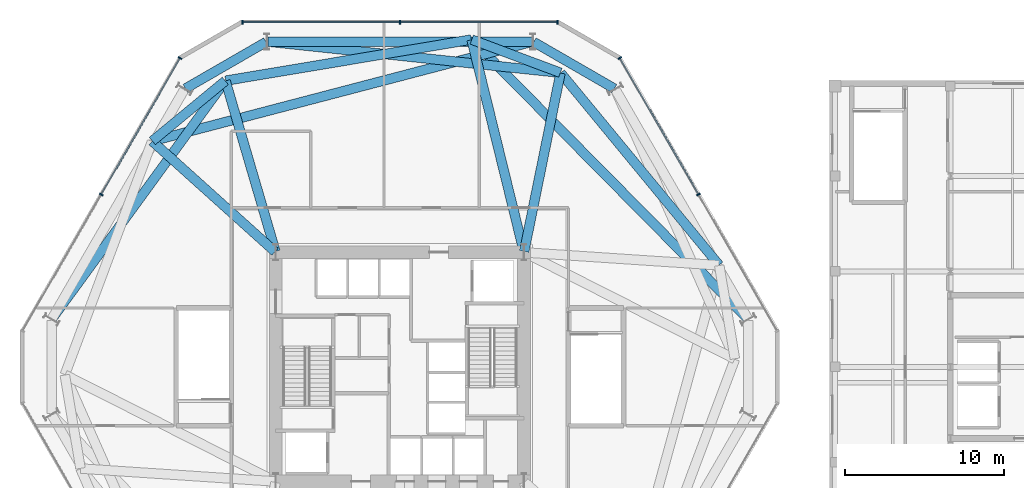
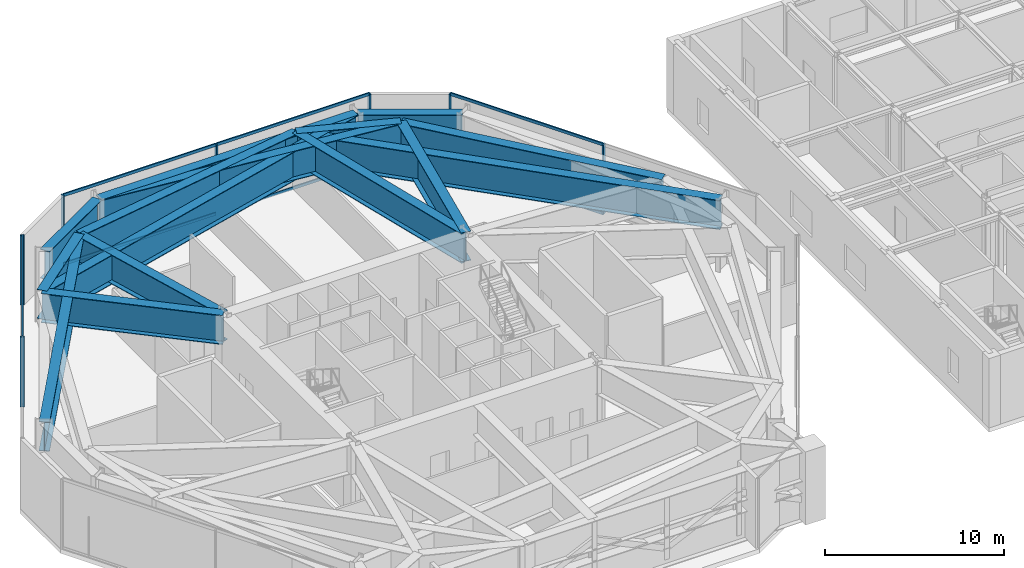
# One storey, part 9 of 16: 15 beams, 15 members, 3 elements without a shape of their own.
"""IFC4 building model written with IfcOpenShell, lengths in metres."""

from ifc_helpers import new_model, si_unit, direction, frame, origin, origin_2d, place, context, subcontext, project, spatial, rectangle, i_section, extrude, material, layer, layer_set, material_profile, profile_set, type_object, element, aggregate, save


model = new_model("IFC4")

# Units and contexts
model_context = context("Model", 3, precision=1e-05, world=origin(), true_north=direction((0.0, 1.0)))
body_context = subcontext(model_context, "Body", "Model", "MODEL_VIEW")
ifc_project = project(units=[si_unit("LENGTHUNIT", "METRE"), si_unit("AREAUNIT", "SQUARE_METRE"), si_unit("VOLUMEUNIT", "CUBIC_METRE"), si_unit("PLANEANGLEUNIT", "RADIAN"), si_unit("MASSUNIT", "GRAM", prefix="KILO")], contexts=[model_context])

# Site, building, storey
site_placement = place(None, origin())
site = spatial("IfcSite", under=ifc_project, at=site_placement, CompositionType="ELEMENT")
building_placement = place(site_placement, origin())
building = spatial("IfcBuilding", under=site, at=building_placement, Name="Kranzbogen Civic Tower", CompositionType="ELEMENT")
storey_placement = place(building_placement, frame((0.0, 0.0, 19.0)))
storey = spatial("IfcBuildingStorey", under=building, at=storey_placement, Name="L04", CompositionType="ELEMENT", Elevation=19.0)

# Curtain wall, members
ifc_material_1 = material(Name="Pale Anodised Aluminium", Category="aluminium")
ifc_layer = layer(ifc_material_1, 0.219970703125, Name="Pale Anodised Aluminium")
ifc_layer_set = layer_set([ifc_layer], Name="Pale Anodised Aluminium")
curtain_wall_type = type_object("IfcCurtainWallType", Name="Podium Stick Curtain Wall System CW-01", PredefinedType="USERDEFINED", material=ifc_layer_set)
curtain_wall_1_placement = place(storey_placement, origin())
curtain_wall_1 = element("IfcCurtainWall", 1, at=curtain_wall_1_placement, inside=storey, type_object=curtain_wall_type, Name="L04 curtain wall CW-L04-F1", ObjectType="STICK CURTAIN WALL", PredefinedType="USERDEFINED")
ifc_material_profile_1 = material_profile(ifc_material_1, rectangle(XDim=0.0849609375, YDim=0.260009765625, at=origin_2d()), Name="ALU-M 85x260")
ifc_profile_set_1 = profile_set([ifc_material_profile_1], Name="Pale Anodised Aluminium")
member_type_1 = type_object("IfcMemberType", Name="Curtain Wall Mullion ALU-M 85x260", PredefinedType="MULLION", material=ifc_profile_set_1)
member_1_placement = place(storey_placement, frame((43.76904296875, 35.83642578125, 0.0), z_axis=(0.0, 0.0, 1.0), x_axis=(-0.500005767433, 0.86602207393, 0.0)))
member_1 = element("IfcMember", 2, at=member_1_placement, type_object=member_type_1, Name="CW-01 mullion 2", PredefinedType="MULLION", context=body_context, shape_type="SweptSolid", body=[
    extrude(rectangle(XDim=0.0849609375, YDim=0.260009765625, at=origin_2d()), origin(), (0.0, 0.0, 1.0), 4.760009765625),
])
member_2_placement = place(storey_placement, frame((38.819091796875, 44.409912109375, 0.0), z_axis=(0.0, 0.0, 1.0), x_axis=(-0.500005767433, 0.86602207393, 0.0)))
member_2 = element("IfcMember", 3, at=member_2_placement, type_object=member_type_1, Name="CW-01 mullion 3", PredefinedType="MULLION", context=body_context, shape_type="SweptSolid", body=[
    extrude(rectangle(XDim=0.0849609375, YDim=0.260009765625, at=origin_2d()), origin(), (0.0, 0.0, 1.0), 4.760009765625),
])

curtain_wall_2_placement = place(storey_placement, origin())
curtain_wall_2 = element("IfcCurtainWall", 4, at=curtain_wall_2_placement, inside=storey, type_object=curtain_wall_type, Name="L04 curtain wall CW-L04-F2", ObjectType="STICK CURTAIN WALL", PredefinedType="USERDEFINED")
member_3_placement = place(storey_placement, frame((34.89990234375, 46.673095703125, 0.0), z_axis=(0.0, 0.0, 1.0), x_axis=(-1.0, 0.0, 0.0)))
member_3 = element("IfcMember", 5, at=member_3_placement, type_object=member_type_1, Name="CW-01 mullion 1", PredefinedType="MULLION", context=body_context, shape_type="SweptSolid", body=[
    extrude(rectangle(XDim=0.0849609375, YDim=0.260009765625, at=origin_2d()), origin(), (0.0, 0.0, 1.0), 4.760009765625),
])
member_4_placement = place(storey_placement, frame((25.0, 46.673095703125, 0.0), z_axis=(0.0, 0.0, 1.0), x_axis=(-1.0, 0.0, 0.0)))
member_4 = element("IfcMember", 6, at=member_4_placement, type_object=member_type_1, Name="CW-01 mullion 2", PredefinedType="MULLION", context=body_context, shape_type="SweptSolid", body=[
    extrude(rectangle(XDim=0.0849609375, YDim=0.260009765625, at=origin_2d()), origin(), (0.0, 0.0, 1.0), 4.760009765625),
])
member_5_placement = place(storey_placement, frame((15.10009765625, 46.673095703125, 0.0), z_axis=(0.0, 0.0, 1.0), x_axis=(-1.0, 0.0, 0.0)))
member_5 = element("IfcMember", 7, at=member_5_placement, type_object=member_type_1, Name="CW-01 mullion 3", PredefinedType="MULLION", context=body_context, shape_type="SweptSolid", body=[
    extrude(rectangle(XDim=0.0849609375, YDim=0.260009765625, at=origin_2d()), origin(), (0.0, 0.0, 1.0), 4.760009765625),
])

curtain_wall_3_placement = place(storey_placement, origin())
curtain_wall_3 = element("IfcCurtainWall", 8, at=curtain_wall_3_placement, inside=storey, type_object=curtain_wall_type, Name="L04 curtain wall CW-L04-F3", ObjectType="STICK CURTAIN WALL", PredefinedType="USERDEFINED")
member_6_placement = place(storey_placement, frame((11.180908203125, 44.409912109375, 0.0), z_axis=(0.0, 0.0, 1.0), x_axis=(-0.500005767433, -0.86602207393, 0.0)))
member_6 = element("IfcMember", 9, at=member_6_placement, type_object=member_type_1, Name="CW-01 mullion 1", PredefinedType="MULLION", context=body_context, shape_type="SweptSolid", body=[
    extrude(rectangle(XDim=0.0849609375, YDim=0.260009765625, at=origin_2d()), origin(), (0.0, 0.0, 1.0), 4.760009765625),
])
member_7_placement = place(storey_placement, frame((6.23095703125, 35.83642578125, 0.0), z_axis=(0.0, 0.0, 1.0), x_axis=(-0.500005767433, -0.86602207393, 0.0)))
member_7 = element("IfcMember", 10, at=member_7_placement, type_object=member_type_1, Name="CW-01 mullion 2", PredefinedType="MULLION", context=body_context, shape_type="SweptSolid", body=[
    extrude(rectangle(XDim=0.0849609375, YDim=0.260009765625, at=origin_2d()), origin(), (0.0, 0.0, 1.0), 4.760009765625),
])

# Member
ifc_material_profile_2 = material_profile(ifc_material_1, rectangle(XDim=0.0849609375, YDim=0.195068359375, at=origin_2d()), Name="ALU-T 85x195")
ifc_profile_set_2 = profile_set([ifc_material_profile_2], Name="Pale Anodised Aluminium")
member_type_2 = type_object("IfcMemberType", Name="Curtain Wall Transom ALU-T 85x195", PredefinedType="USERDEFINED", material=ifc_profile_set_2)
member_8_placement = place(storey_placement, frame((43.75390625, 35.862548828125, 0.030029296875), z_axis=(-0.500003092839, 0.866023618125, 0.0), x_axis=(-0.866023618125, -0.500003092839, 0.0)))
member_8 = element("IfcMember", 11, at=member_8_placement, type_object=member_type_2, Name="CW-01 transom 2.1", ObjectType="TRANSOM", PredefinedType="USERDEFINED", context=body_context, shape_type="SweptSolid", body=[
    extrude(rectangle(XDim=0.0849609375, YDim=0.195068359375, at=origin_2d()), origin(), (0.0, 0.0, 1.0), 9.83984375),
])

member_9_placement = place(storey_placement, frame((43.75390625, 35.862548828125, 4.72998046875), z_axis=(-0.500003092839, 0.866023618125, 0.0), x_axis=(-0.866023618125, -0.500003092839, 0.0)))
member_9 = element("IfcMember", 12, at=member_9_placement, type_object=member_type_2, Name="CW-01 transom 2.2", ObjectType="TRANSOM", PredefinedType="USERDEFINED", context=body_context, shape_type="SweptSolid", body=[
    extrude(rectangle(XDim=0.0849609375, YDim=0.195068359375, at=origin_2d()), origin(), (0.0, 0.0, 1.0), 9.83984375),
])

aggregate(curtain_wall_1, [member_1, member_2, member_8, member_9])

member_10_placement = place(storey_placement, frame((34.8701171875, 46.673095703125, 0.030029296875), z_axis=(-1.0, 0.0, 0.0), x_axis=(0.0, -1.0, 0.0)))
member_10 = element("IfcMember", 13, at=member_10_placement, type_object=member_type_2, Name="CW-01 transom 1.1", ObjectType="TRANSOM", PredefinedType="USERDEFINED", context=body_context, shape_type="SweptSolid", body=[
    extrude(rectangle(XDim=0.0849609375, YDim=0.195068359375, at=origin_2d()), origin(), (0.0, 0.0, 1.0), 9.840087890625),
])

member_11_placement = place(storey_placement, frame((34.8701171875, 46.673095703125, 4.72998046875), z_axis=(-1.0, 0.0, 0.0), x_axis=(0.0, -1.0, 0.0)))
member_11 = element("IfcMember", 14, at=member_11_placement, type_object=member_type_2, Name="CW-01 transom 1.2", ObjectType="TRANSOM", PredefinedType="USERDEFINED", context=body_context, shape_type="SweptSolid", body=[
    extrude(rectangle(XDim=0.0849609375, YDim=0.195068359375, at=origin_2d()), origin(), (0.0, 0.0, 1.0), 9.840087890625),
])

member_12_placement = place(storey_placement, frame((24.969970703125, 46.673095703125, 0.030029296875), z_axis=(-1.0, 0.0, 0.0), x_axis=(0.0, -1.0, 0.0)))
member_12 = element("IfcMember", 15, at=member_12_placement, type_object=member_type_2, Name="CW-01 transom 2.1", ObjectType="TRANSOM", PredefinedType="USERDEFINED", context=body_context, shape_type="SweptSolid", body=[
    extrude(rectangle(XDim=0.0849609375, YDim=0.195068359375, at=origin_2d()), origin(), (0.0, 0.0, 1.0), 9.840087890625),
])

member_13_placement = place(storey_placement, frame((24.969970703125, 46.673095703125, 4.72998046875), z_axis=(-1.0, 0.0, 0.0), x_axis=(0.0, -1.0, 0.0)))
member_13 = element("IfcMember", 16, at=member_13_placement, type_object=member_type_2, Name="CW-01 transom 2.2", ObjectType="TRANSOM", PredefinedType="USERDEFINED", context=body_context, shape_type="SweptSolid", body=[
    extrude(rectangle(XDim=0.0849609375, YDim=0.195068359375, at=origin_2d()), origin(), (0.0, 0.0, 1.0), 9.840087890625),
])

aggregate(curtain_wall_2, [member_3, member_4, member_5, member_10, member_11, member_12, member_13])

member_14_placement = place(storey_placement, frame((11.166015625, 44.384033203125, 0.030029296875), z_axis=(-0.500003092839, -0.866023618125, 0.0), x_axis=(0.866023618125, -0.500003092839, 0.0)))
member_14 = element("IfcMember", 17, at=member_14_placement, type_object=member_type_2, Name="CW-01 transom 1.1", ObjectType="TRANSOM", PredefinedType="USERDEFINED", context=body_context, shape_type="SweptSolid", body=[
    extrude(rectangle(XDim=0.0849609375, YDim=0.195068359375, at=origin_2d()), origin(), (0.0, 0.0, 1.0), 9.83984375),
])

member_15_placement = place(storey_placement, frame((11.166015625, 44.384033203125, 4.72998046875), z_axis=(-0.500003092839, -0.866023618125, 0.0), x_axis=(0.866023618125, -0.500003092839, 0.0)))
member_15 = element("IfcMember", 18, at=member_15_placement, type_object=member_type_2, Name="CW-01 transom 1.2", ObjectType="TRANSOM", PredefinedType="USERDEFINED", context=body_context, shape_type="SweptSolid", body=[
    extrude(rectangle(XDim=0.0849609375, YDim=0.195068359375, at=origin_2d()), origin(), (0.0, 0.0, 1.0), 9.83984375),
])

aggregate(curtain_wall_3, [member_6, member_7, member_14, member_15])

# Beams
ifc_material_2 = material(Name="Steel S460", Category="steel")
ifc_material_profile_3 = material_profile(ifc_material_2, i_section(OverallWidth=0.60009765625, OverallDepth=2.0, WebThickness=0.028076171875, FlangeThickness=0.0400390625, at=origin_2d()), Name="WPG 2000x600x28x40")
ifc_profile_set_3 = profile_set([ifc_material_profile_3], Name="Steel S460")
beam_type = type_object("IfcBeamType", Name="Welded Transfer Girder WPG 2000x600x28x40", PredefinedType="BEAM", material=ifc_profile_set_3)
beam_1_placement = place(storey_placement, frame((38.47900390625, 42.493896484375, 3.760009765625), z_axis=(-0.86602927387, 0.499993296755, 0.0), x_axis=(-0.499993296755, -0.86602927387, 0.0)))
element("IfcBeam", 19, at=beam_1_placement, inside=storey, type_object=beam_type, Name="TG-2000: L04 lower perimeter transfer ring girder 08", PredefinedType="BEAM", context=body_context, shape_type="SweptSolid", body=[
    extrude(i_section(OverallWidth=0.60009765625, OverallDepth=2.0, WebThickness=0.028076171875, FlangeThickness=0.0400390625, at=origin_2d()), origin(), (0.0, 0.0, 1.0), 5.85205078125),
])
beam_2_placement = place(storey_placement, frame((33.299072265625, 45.449951171875, 3.760009765625), z_axis=(-1.0, 0.0, 0.0), x_axis=(0.0, -1.0, 0.0)))
element("IfcBeam", 20, at=beam_2_placement, inside=storey, type_object=beam_type, Name="TG-2000: L04 lower perimeter transfer ring girder 09", PredefinedType="BEAM", context=body_context, shape_type="SweptSolid", body=[
    extrude(i_section(OverallWidth=0.60009765625, OverallDepth=2.0, WebThickness=0.028076171875, FlangeThickness=0.0400390625, at=origin_2d()), origin(), (0.0, 0.0, 1.0), 16.59814453125),
])
beam_3_placement = place(storey_placement, frame((16.589111328125, 45.419921875, 3.760009765625), z_axis=(-0.86602927387, -0.499993296755, 0.0), x_axis=(0.499993296755, -0.86602927387, 0.0)))
element("IfcBeam", 21, at=beam_3_placement, inside=storey, type_object=beam_type, Name="TG-2000: L04 lower perimeter transfer ring girder 10", PredefinedType="BEAM", context=body_context, shape_type="SweptSolid", body=[
    extrude(i_section(OverallWidth=0.60009765625, OverallDepth=2.0, WebThickness=0.028076171875, FlangeThickness=0.0400390625, at=origin_2d()), origin(), (0.0, 0.0, 1.0), 5.85205078125),
])
beam_4_placement = place(storey_placement, frame((45.06201171875, 31.39794921875, 3.760009765625), z_axis=(-0.636082345303, 0.771621182961, 0.0), x_axis=(-0.771621182961, -0.636082345303, 0.0)))
element("IfcBeam", 22, at=beam_4_placement, inside=storey, type_object=beam_type, Name="TG-2000: L04 upper perimeter transfer ring girder 08", PredefinedType="BEAM", context=body_context, shape_type="SweptSolid", body=[
    extrude(i_section(OverallWidth=0.60009765625, OverallDepth=2.0, WebThickness=0.028076171875, FlangeThickness=0.0400390625, at=origin_2d()), origin(), (0.0, 0.0, 1.0), 15.6474609375),
])
beam_5_placement = place(storey_placement, frame((35.0849609375, 43.489013671875, 3.760009765625), z_axis=(-0.936615884694, 0.350357937743, 0.0), x_axis=(-0.350357937743, -0.936615884694, 0.0)))
element("IfcBeam", 23, at=beam_5_placement, inside=storey, type_object=beam_type, Name="TG-2000: L04 upper perimeter transfer ring girder 09", PredefinedType="BEAM", context=body_context, shape_type="SweptSolid", body=[
    extrude(i_section(OverallWidth=0.60009765625, OverallDepth=2.0, WebThickness=0.028076171875, FlangeThickness=0.0400390625, at=origin_2d()), origin(), (0.0, 0.0, 1.0), 5.942626953125),
])
beam_6_placement = place(storey_placement, frame((29.489990234375, 45.573974609375, 3.760009765625), z_axis=(-0.98627136419, -0.165132662363, 0.0), x_axis=(0.165132662363, -0.98627136419, 0.0)))
element("IfcBeam", 24, at=beam_6_placement, inside=storey, type_object=beam_type, Name="TG-2000: L04 upper perimeter transfer ring girder 10", PredefinedType="BEAM", context=body_context, shape_type="SweptSolid", body=[
    extrude(i_section(OverallWidth=0.60009765625, OverallDepth=2.0, WebThickness=0.028076171875, FlangeThickness=0.0400390625, at=origin_2d()), origin(), (0.0, 0.0, 1.0), 15.64794921875),
])
beam_7_placement = place(storey_placement, frame((14.030029296875, 42.97802734375, 3.760009765625), z_axis=(-0.771665669364, -0.636028375723, 0.0), x_axis=(0.636028375723, -0.771665669364, 0.0)))
element("IfcBeam", 25, at=beam_7_placement, inside=storey, type_object=beam_type, Name="TG-2000: L04 upper perimeter transfer ring girder 11", PredefinedType="BEAM", context=body_context, shape_type="SweptSolid", body=[
    extrude(i_section(OverallWidth=0.60009765625, OverallDepth=2.0, WebThickness=0.028076171875, FlangeThickness=0.0400390625, at=origin_2d()), origin(), (0.0, 0.0, 1.0), 5.941650390625),
])
beam_8_placement = place(storey_placement, frame((32.81201171875, 32.259033203125, 3.760009765625), z_axis=(0.199640150189, 0.979869282319, 0.0), x_axis=(-0.979869282319, 0.199640150189, 0.0)))
element("IfcBeam", 26, at=beam_8_placement, inside=storey, type_object=beam_type, Name="TG-2000: L04 radial column transfer girder 09", PredefinedType="BEAM", context=body_context, shape_type="SweptSolid", body=[
    extrude(i_section(OverallWidth=0.60009765625, OverallDepth=2.0, WebThickness=0.028076171875, FlangeThickness=0.0400390625, at=origin_2d()), origin(), (0.0, 0.0, 1.0), 11.440185546875),
])
beam_9_placement = place(storey_placement, frame((16.69091796875, 45.445068359375, 3.760009765625), z_axis=(0.994375966837, -0.105907679496, 0.0), x_axis=(0.105907679496, 0.994375966837, 0.0)))
element("IfcBeam", 27, at=beam_9_placement, inside=storey, type_object=beam_type, Name="TG-2000: L04 perimeter column transfer girder 09", PredefinedType="BEAM", context=body_context, shape_type="SweptSolid", body=[
    extrude(i_section(OverallWidth=0.60009765625, OverallDepth=2.0, WebThickness=0.028076171875, FlangeThickness=0.0400390625, at=origin_2d()), origin(), (0.0, 0.0, 1.0), 18.4970703125),
])
beam_10_placement = place(storey_placement, frame((32.785888671875, 32.258056640625, 3.760009765625), z_axis=(-0.239175686955, 0.970976308037, 0.0), x_axis=(-0.970976308037, -0.239175686955, 0.0)))
element("IfcBeam", 28, at=beam_10_placement, inside=storey, type_object=beam_type, Name="TG-2000: L04 radial column transfer girder 10", PredefinedType="BEAM", context=body_context, shape_type="SweptSolid", body=[
    extrude(i_section(OverallWidth=0.60009765625, OverallDepth=2.0, WebThickness=0.028076171875, FlangeThickness=0.0400390625, at=origin_2d()), origin(), (0.0, 0.0, 1.0), 13.70068359375),
])
beam_11_placement = place(storey_placement, frame((46.85498046875, 28.02197265625, 3.760009765625), z_axis=(-0.702957305021, 0.711232048854, 0.0), x_axis=(-0.711232048854, -0.702957305021, 0.0)))
element("IfcBeam", 29, at=beam_11_placement, inside=storey, type_object=beam_type, Name="TG-2000: L04 perimeter column transfer girder 10", PredefinedType="BEAM", context=body_context, shape_type="SweptSolid", body=[
    extrude(i_section(OverallWidth=0.60009765625, OverallDepth=2.0, WebThickness=0.028076171875, FlangeThickness=0.0400390625, at=origin_2d()), origin(), (0.0, 0.0, 1.0), 24.66552734375),
])
beam_12_placement = place(storey_placement, frame((17.18310546875, 32.258056640625, 3.760009765625), z_axis=(-0.280964575088, 0.959718139636, 0.0), x_axis=(-0.959718139636, -0.280964575088, 0.0)))
element("IfcBeam", 30, at=beam_12_placement, inside=storey, type_object=beam_type, Name="TG-2000: L04 radial column transfer girder 11", PredefinedType="BEAM", context=body_context, shape_type="SweptSolid", body=[
    extrude(i_section(OverallWidth=0.60009765625, OverallDepth=2.0, WebThickness=0.028076171875, FlangeThickness=0.0400390625, at=origin_2d()), origin(), (0.0, 0.0, 1.0), 11.165771484375),
])
beam_13_placement = place(storey_placement, frame((3.138916015625, 28.02587890625, 3.760009765625), z_axis=(0.588920091947, 0.808191267771, 0.0), x_axis=(-0.808191267771, 0.588920091947, 0.0)))
element("IfcBeam", 31, at=beam_13_placement, inside=storey, type_object=beam_type, Name="TG-2000: L04 perimeter column transfer girder 11", PredefinedType="BEAM", context=body_context, shape_type="SweptSolid", body=[
    extrude(i_section(OverallWidth=0.60009765625, OverallDepth=2.0, WebThickness=0.028076171875, FlangeThickness=0.0400390625, at=origin_2d()), origin(), (0.0, 0.0, 1.0), 18.498291015625),
])
beam_14_placement = place(storey_placement, frame((17.155029296875, 32.239990234375, 3.760009765625), z_axis=(-0.743336274111, 0.668917919921, 0.0), x_axis=(-0.668917919921, -0.743336274111, 0.0)))
element("IfcBeam", 32, at=beam_14_placement, inside=storey, type_object=beam_type, Name="TG-2000: L04 radial column transfer girder 12", PredefinedType="BEAM", context=body_context, shape_type="SweptSolid", body=[
    extrude(i_section(OverallWidth=0.60009765625, OverallDepth=2.0, WebThickness=0.028076171875, FlangeThickness=0.0400390625, at=origin_2d()), origin(), (0.0, 0.0, 1.0), 10.37353515625),
])
beam_15_placement = place(storey_placement, frame((33.31103515625, 45.43701171875, 3.760009765625), z_axis=(-0.967431284003, -0.253133780305, 0.0), x_axis=(0.253133780305, -0.967431284003, 0.0)))
element("IfcBeam", 33, at=beam_15_placement, inside=storey, type_object=beam_type, Name="TG-2000: L04 perimeter column transfer girder 12", PredefinedType="BEAM", context=body_context, shape_type="SweptSolid", body=[
    extrude(i_section(OverallWidth=0.60009765625, OverallDepth=2.0, WebThickness=0.028076171875, FlangeThickness=0.0400390625, at=origin_2d()), origin(), (0.0, 0.0, 1.0), 24.66650390625),
])

save(model, "model.ifc")
